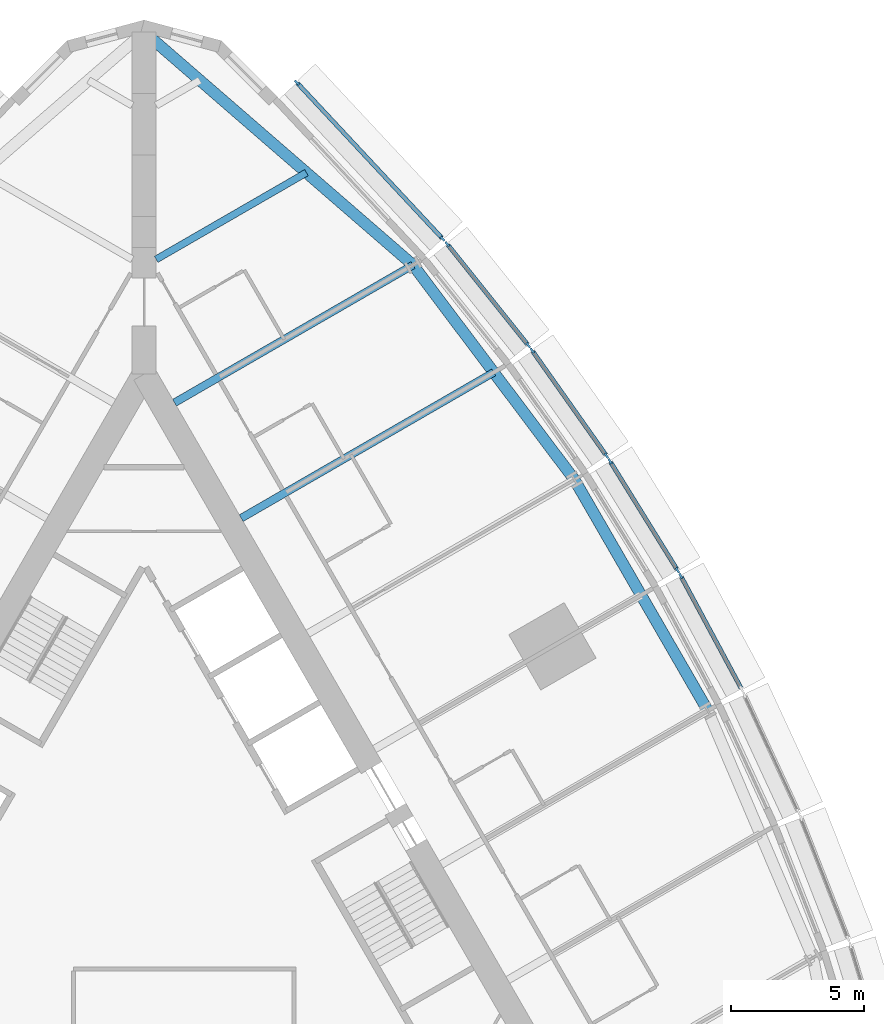
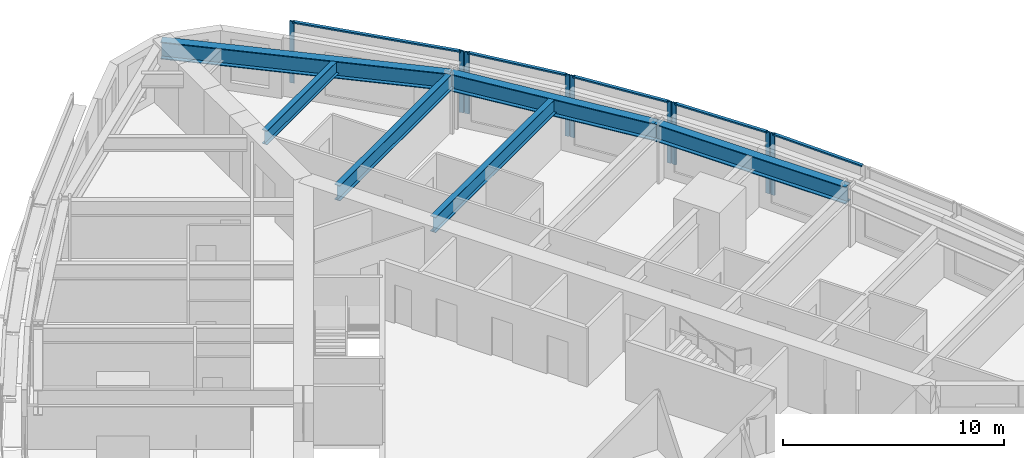
# One storey, part 5 of 14: 14 members, 6 beams, 5 elements without a shape of their own.
"""IFC4 building model written with IfcOpenShell, lengths in metres."""

from ifc_helpers import new_model, si_unit, direction, frame, origin, origin_2d, place, context, subcontext, project, spatial, rectangle, i_section, extrude, material, material_profile, profile_set, type_object, element, aggregate, save


model = new_model("IFC4")

# Units and contexts
model_context = context("Model", 3, precision=1e-05, world=origin(), true_north=direction((0.0, 1.0)))
body_context = subcontext(model_context, "Body", "Model", "MODEL_VIEW")
ifc_project = project(units=[si_unit("LENGTHUNIT", "METRE"), si_unit("AREAUNIT", "SQUARE_METRE"), si_unit("VOLUMEUNIT", "CUBIC_METRE"), si_unit("PLANEANGLEUNIT", "RADIAN"), si_unit("MASSUNIT", "GRAM", prefix="KILO")], contexts=[model_context])

# Site, building, storey
site_placement = place(None, origin())
site = spatial("IfcSite", under=ifc_project, at=site_placement, CompositionType="ELEMENT")
building_placement = place(site_placement, origin())
building = spatial("IfcBuilding", under=site, at=building_placement, Name="Trikona Tower", CompositionType="ELEMENT")
storey_placement = place(building_placement, frame((0.0, 0.0, 48.89990234375)))
storey = spatial("IfcBuildingStorey", under=building, at=storey_placement, Name="L11", CompositionType="ELEMENT", Elevation=48.89990234375)

# Curtain wall, member
ifc_material_1 = material(Name="Aluminium curtain wall system", Category="aluminium")
curtain_wall_type = type_object("IfcCurtainWallType", Name="Curtain wall DS1", PredefinedType="NOTDEFINED", material=ifc_material_1)
curtain_wall_1_placement = place(storey_placement, origin())
curtain_wall_1 = element("IfcCurtainWall", 1, at=curtain_wall_1_placement, inside=storey, type_object=curtain_wall_type, Name="Curtain wall DS1 L11", PredefinedType="NOTDEFINED")
ifc_material_2 = material(Name="Aluminium mullion, pale anodised", Category="aluminium")
ifc_material_profile_1 = material_profile(ifc_material_2, rectangle(XDim=0.080078125, YDim=0.219970703125, at=origin_2d()), Name="MUL-DS1")
ifc_profile_set_1 = profile_set([ifc_material_profile_1], Name="Aluminium mullion, pale anodised")
member_type_1 = type_object("IfcMemberType", Name="Mullion DS1 80x220", PredefinedType="MULLION", material=ifc_profile_set_1)
member_1_placement = place(storey_placement, frame((20.128662109375, 11.474365234375, 0.0), z_axis=(0.0, 0.0, 1.0), x_axis=(-0.880843080975, -0.473408350896, 0.0)))
member_1 = element("IfcMember", 2, at=member_1_placement, type_object=member_type_1, Name="CW-DS1 mullion 2", PredefinedType="MULLION", context=body_context, shape_type="SweptSolid", body=[
    extrude(rectangle(XDim=0.080078125, YDim=0.219970703125, at=origin_2d()), origin(), (0.0, 0.0, 1.0), 3.400146484375),
])

# Curtain wall, members
curtain_wall_2_placement = place(storey_placement, origin())
curtain_wall_2 = element("IfcCurtainWall", 3, at=curtain_wall_2_placement, inside=storey, type_object=curtain_wall_type, Name="Curtain wall DS1 L11", PredefinedType="NOTDEFINED")
member_2_placement = place(storey_placement, frame((20.00146484375, 11.69482421875, 0.0), z_axis=(0.0, 0.0, 1.0), x_axis=(-0.850410468941, -0.526119790842, 0.0)))
member_2 = element("IfcMember", 4, at=member_2_placement, type_object=member_type_1, Name="CW-DS1 mullion 1", PredefinedType="MULLION", context=body_context, shape_type="SweptSolid", body=[
    extrude(rectangle(XDim=0.080078125, YDim=0.219970703125, at=origin_2d()), origin(), (0.0, 0.0, 1.0), 3.400146484375),
])
member_3_placement = place(storey_placement, frame((17.474853515625, 15.77880859375, 0.0), z_axis=(0.0, 0.0, 1.0), x_axis=(-0.850410468941, -0.526119790842, 0.0)))
member_3 = element("IfcMember", 5, at=member_3_placement, type_object=member_type_1, Name="CW-DS1 mullion 2", PredefinedType="MULLION", context=body_context, shape_type="SweptSolid", body=[
    extrude(rectangle(XDim=0.080078125, YDim=0.219970703125, at=origin_2d()), origin(), (0.0, 0.0, 1.0), 3.400146484375),
])

curtain_wall_3_placement = place(storey_placement, origin())
curtain_wall_3 = element("IfcCurtainWall", 6, at=curtain_wall_3_placement, inside=storey, type_object=curtain_wall_type, Name="Curtain wall DS1 L11", PredefinedType="NOTDEFINED")
member_4_placement = place(storey_placement, frame((17.33447265625, 15.990966796875, 0.0), z_axis=(0.0, 0.0, 1.0), x_axis=(-0.816985393055, -0.576658362928, 0.0)))
member_4 = element("IfcMember", 7, at=member_4_placement, type_object=member_type_1, Name="CW-DS1 mullion 1", PredefinedType="MULLION", context=body_context, shape_type="SweptSolid", body=[
    extrude(rectangle(XDim=0.080078125, YDim=0.219970703125, at=origin_2d()), origin(), (0.0, 0.0, 1.0), 3.400146484375),
])
member_5_placement = place(storey_placement, frame((14.554443359375, 19.929443359375, 0.0), z_axis=(0.0, 0.0, 1.0), x_axis=(-0.816985393055, -0.576658362928, 0.0)))
member_5 = element("IfcMember", 8, at=member_5_placement, type_object=member_type_1, Name="CW-DS1 mullion 2", PredefinedType="MULLION", context=body_context, shape_type="SweptSolid", body=[
    extrude(rectangle(XDim=0.080078125, YDim=0.219970703125, at=origin_2d()), origin(), (0.0, 0.0, 1.0), 3.400146484375),
])

curtain_wall_4_placement = place(storey_placement, origin())
curtain_wall_4 = element("IfcCurtainWall", 9, at=curtain_wall_4_placement, inside=storey, type_object=curtain_wall_type, Name="Curtain wall DS1 L11", PredefinedType="NOTDEFINED")
member_6_placement = place(storey_placement, frame((14.40185546875, 20.13232421875, 0.0), z_axis=(0.0, 0.0, 1.0), x_axis=(-0.780937959679, -0.624608599951, 0.0)))
member_6 = element("IfcMember", 10, at=member_6_placement, type_object=member_type_1, Name="CW-DS1 mullion 1", PredefinedType="MULLION", context=body_context, shape_type="SweptSolid", body=[
    extrude(rectangle(XDim=0.080078125, YDim=0.219970703125, at=origin_2d()), origin(), (0.0, 0.0, 1.0), 3.400146484375),
])
member_7_placement = place(storey_placement, frame((11.36767578125, 23.926025390625, 0.0), z_axis=(0.0, 0.0, 1.0), x_axis=(-0.780937959679, -0.624608599951, 0.0)))
member_7 = element("IfcMember", 11, at=member_7_placement, type_object=member_type_1, Name="CW-DS1 mullion 2", PredefinedType="MULLION", context=body_context, shape_type="SweptSolid", body=[
    extrude(rectangle(XDim=0.080078125, YDim=0.219970703125, at=origin_2d()), origin(), (0.0, 0.0, 1.0), 3.400146484375),
])

curtain_wall_5_placement = place(storey_placement, origin())
curtain_wall_5 = element("IfcCurtainWall", 12, at=curtain_wall_5_placement, inside=storey, type_object=curtain_wall_type, Name="Curtain wall DS1 L11", PredefinedType="NOTDEFINED")
member_8_placement = place(storey_placement, frame((11.192138671875, 24.129150390625, 0.0), z_axis=(0.0, 0.0, 1.0), x_axis=(-0.731076639405, -0.682295351967, 0.0)))
member_8 = element("IfcMember", 13, at=member_8_placement, type_object=member_type_1, Name="CW-DS1 mullion 1", PredefinedType="MULLION", context=body_context, shape_type="SweptSolid", body=[
    extrude(rectangle(XDim=0.080078125, YDim=0.219970703125, at=origin_2d()), origin(), (0.0, 0.0, 1.0), 3.400146484375),
])
member_9_placement = place(storey_placement, frame((5.72607421875, 29.98583984375, 0.0), z_axis=(0.0, 0.0, 1.0), x_axis=(-0.731076639405, -0.682295351967, 0.0)))
member_9 = element("IfcMember", 14, at=member_9_placement, type_object=member_type_1, Name="CW-DS1 mullion 2", PredefinedType="MULLION", context=body_context, shape_type="SweptSolid", body=[
    extrude(rectangle(XDim=0.080078125, YDim=0.219970703125, at=origin_2d()), origin(), (0.0, 0.0, 1.0), 3.400146484375),
])

# Beams
ifc_material_3 = material(Name="Steel ASTM A992 Grade 50", Category="steel")
ifc_material_profile_2 = material_profile(ifc_material_3, i_section(OverallWidth=0.2666015625, OverallDepth=0.76953125, WebThickness=0.015625, FlangeThickness=0.025390625, at=origin_2d()), Name="W30X132")
ifc_profile_set_2 = profile_set([ifc_material_profile_2], Name="Steel ASTM A992 Grade 50")
beam_type_1 = type_object("IfcBeamType", Name="Steel beam W30x132 (wedge)", PredefinedType="BEAM", material=ifc_profile_set_2)
beam_1_placement = place(storey_placement, frame((0.449951171875, 23.353759765625, 2.850341796875), z_axis=(0.866022504693, 0.50000502134, 0.0), x_axis=(-0.50000502134, 0.866022504693, 0.0)))
element("IfcBeam", 15, at=beam_1_placement, inside=storey, type_object=beam_type_1, Name="Floor beam L12 F2 u20", PredefinedType="BEAM", context=body_context, shape_type="SweptSolid", body=[
    extrude(i_section(OverallWidth=0.2666015625, OverallDepth=0.76953125, WebThickness=0.015625, FlangeThickness=0.025390625, at=origin_2d()), origin(), (0.0, 0.0, 1.0), 6.5068359375),
])
ifc_material_4 = material(Name="Steel ASTM A992 Grade 50", Category="steel")
ifc_material_profile_3 = material_profile(ifc_material_4, i_section(OverallWidth=0.2919921875, OverallDepth=0.845703125, WebThickness=0.015380859375, FlangeThickness=0.0244140625, at=origin_2d()), Name="W33X141")
ifc_profile_set_3 = profile_set([ifc_material_profile_3], Name="Steel ASTM A992 Grade 50")
beam_type_2 = type_object("IfcBeamType", Name="Steel beam W33x141 (radial typ)", PredefinedType="BEAM", material=ifc_profile_set_3)
beam_2_placement = place(storey_placement, frame((3.6396484375, 13.6484375, 2.812255859375), z_axis=(0.866025348605, 0.500000095573, 0.0), x_axis=(-0.500000095573, 0.866025348605, 0.0)))
element("IfcBeam", 16, at=beam_2_placement, inside=storey, type_object=beam_type_2, Name="Floor beam L12 F2 u10", PredefinedType="BEAM", context=body_context, shape_type="SweptSolid", body=[
    extrude(i_section(OverallWidth=0.2919921875, OverallDepth=0.845703125, WebThickness=0.015380859375, FlangeThickness=0.0244140625, at=origin_2d()), origin(), (0.0, 0.0, 1.0), 10.935546875),
])
beam_3_placement = place(storey_placement, frame((1.1396484375, 17.978515625, 2.812255859375), z_axis=(0.866030471684, 0.499991222037, 0.0), x_axis=(-0.499991222037, 0.866030471684, 0.0)))
element("IfcBeam", 17, at=beam_3_placement, inside=storey, type_object=beam_type_2, Name="Floor beam L12 F2 u15", PredefinedType="BEAM", context=body_context, shape_type="SweptSolid", body=[
    extrude(i_section(OverallWidth=0.2919921875, OverallDepth=0.845703125, WebThickness=0.015380859375, FlangeThickness=0.0244140625, at=origin_2d()), origin(), (0.0, 0.0, 1.0), 10.326904296875),
])
ifc_material_5 = material(Name="Steel ASTM A992 Grade 50", Category="steel")
ifc_material_profile_4 = material_profile(ifc_material_5, i_section(OverallWidth=0.424072265625, OverallDepth=0.947509765625, WebThickness=0.02392578125, FlangeThickness=0.042724609375, at=origin_2d()), Name="W36X302")
ifc_profile_set_4 = profile_set([ifc_material_profile_4], Name="Steel ASTM A992 Grade 50")
beam_type_3 = type_object("IfcBeamType", Name="Steel beam W36x302 (spandrel)", PredefinedType="SPANDREL", material=ifc_profile_set_4)
beam_4_placement = place(storey_placement, frame((21.13720703125, 6.43017578125, 2.761474609375), z_axis=(-0.500004234368, 0.866022959057, 0.0), x_axis=(-0.866022959057, -0.500004234368, 0.0)))
element("IfcBeam", 18, at=beam_4_placement, inside=storey, type_object=beam_type_3, Name="Spandrel beam L12 F2-3", PredefinedType="SPANDREL", context=body_context, shape_type="SweptSolid", body=[
    extrude(i_section(OverallWidth=0.424072265625, OverallDepth=0.947509765625, WebThickness=0.02392578125, FlangeThickness=0.042724609375, at=origin_2d()), origin(), (0.0, 0.0, 1.0), 10.0),
])
beam_5_placement = place(storey_placement, frame((16.13720703125, 15.09033203125, 2.761474609375), z_axis=(-0.600988344191, 0.799257787042, 0.0), x_axis=(-0.799257787042, -0.600988344191, 0.0)))
element("IfcBeam", 19, at=beam_5_placement, inside=storey, type_object=beam_type_3, Name="Spandrel beam L12 F2-4", PredefinedType="SPANDREL", context=body_context, shape_type="SweptSolid", body=[
    extrude(i_section(OverallWidth=0.424072265625, OverallDepth=0.947509765625, WebThickness=0.02392578125, FlangeThickness=0.042724609375, at=origin_2d()), origin(), (0.0, 0.0, 1.0), 10.07373046875),
])
beam_6_placement = place(storey_placement, frame((10.0830078125, 23.141845703125, 2.761474609375), z_axis=(-0.755646822726, 0.654979296851, 0.0), x_axis=(-0.654979296851, -0.755646822726, 0.0)))
element("IfcBeam", 20, at=beam_6_placement, inside=storey, type_object=beam_type_3, Name="Spandrel beam L12 F2-5", PredefinedType="SPANDREL", context=body_context, shape_type="SweptSolid", body=[
    extrude(i_section(OverallWidth=0.424072265625, OverallDepth=0.947509765625, WebThickness=0.02392578125, FlangeThickness=0.042724609375, at=origin_2d()), origin(), (0.0, 0.0, 1.0), 13.343505859375),
])

# Member
ifc_material_6 = material(Name="Aluminium transom, pale anodised", Category="aluminium")
ifc_material_profile_5 = material_profile(ifc_material_6, rectangle(XDim=0.159912109375, YDim=0.080078125, at=origin_2d()), Name="TRN-DS1")
ifc_profile_set_5 = profile_set([ifc_material_profile_5], Name="Aluminium transom, pale anodised")
member_type_2 = type_object("IfcMemberType", Name="Transom DS1 80x160", PredefinedType="USERDEFINED", material=ifc_profile_set_5)
member_10_placement = place(storey_placement, frame((22.38330078125, 7.279541015625, 3.360107421875), z_axis=(-0.473427569755, 0.880832751546, 0.0), x_axis=(-0.880832751546, -0.473427569755, 0.0)))
member_10 = element("IfcMember", 21, at=member_10_placement, type_object=member_type_2, Name="CW-DS1 transom 1.1", ObjectType="TRANSOM", PredefinedType="USERDEFINED", context=body_context, shape_type="SweptSolid", body=[
    extrude(rectangle(XDim=0.159912109375, YDim=0.080078125, at=origin_2d()), origin(), (0.0, 0.0, 1.0), 4.72216796875),
])

aggregate(curtain_wall_1, [member_1, member_10])

member_11_placement = place(storey_placement, frame((19.980224609375, 11.728759765625, 3.360107421875), z_axis=(-0.526080502257, 0.850434774186, 0.0), x_axis=(-0.850434774186, -0.526080502257, 0.0)))
member_11 = element("IfcMember", 22, at=member_11_placement, type_object=member_type_2, Name="CW-DS1 transom 1.1", ObjectType="TRANSOM", PredefinedType="USERDEFINED", context=body_context, shape_type="SweptSolid", body=[
    extrude(rectangle(XDim=0.159912109375, YDim=0.080078125, at=origin_2d()), origin(), (0.0, 0.0, 1.0), 4.722412109375),
])

aggregate(curtain_wall_2, [member_2, member_3, member_11])

member_12_placement = place(storey_placement, frame((17.311279296875, 16.023681640625, 3.360107421875), z_axis=(-0.57664478015, 0.816994980111, 0.0), x_axis=(-0.816994980111, -0.57664478015, 0.0)))
member_12 = element("IfcMember", 23, at=member_12_placement, type_object=member_type_2, Name="CW-DS1 transom 1.1", ObjectType="TRANSOM", PredefinedType="USERDEFINED", context=body_context, shape_type="SweptSolid", body=[
    extrude(rectangle(XDim=0.159912109375, YDim=0.080078125, at=origin_2d()), origin(), (0.0, 0.0, 1.0), 4.740478515625),
])

aggregate(curtain_wall_3, [member_4, member_5, member_12])

member_13_placement = place(storey_placement, frame((14.376953125, 20.16357421875, 3.360107421875), z_axis=(-0.624589103832, 0.780953552636, 0.0), x_axis=(-0.780953552636, -0.624589103832, 0.0)))
member_13 = element("IfcMember", 24, at=member_13_placement, type_object=member_type_2, Name="CW-DS1 transom 1.1", ObjectType="TRANSOM", PredefinedType="USERDEFINED", context=body_context, shape_type="SweptSolid", body=[
    extrude(rectangle(XDim=0.159912109375, YDim=0.080078125, at=origin_2d()), origin(), (0.0, 0.0, 1.0), 4.77783203125),
])

aggregate(curtain_wall_4, [member_6, member_7, member_13])

member_14_placement = place(storey_placement, frame((11.164794921875, 24.158203125, 3.360107421875), z_axis=(-0.682290830921, 0.731080858758, 0.0), x_axis=(-0.731080858758, -0.682290830921, 0.0)))
member_14 = element("IfcMember", 25, at=member_14_placement, type_object=member_type_2, Name="CW-DS1 transom 1.1", ObjectType="TRANSOM", PredefinedType="USERDEFINED", context=body_context, shape_type="SweptSolid", body=[
    extrude(rectangle(XDim=0.159912109375, YDim=0.080078125, at=origin_2d()), origin(), (0.0, 0.0, 1.0), 7.93115234375),
])

aggregate(curtain_wall_5, [member_8, member_9, member_14])

save(model, "model.ifc")
